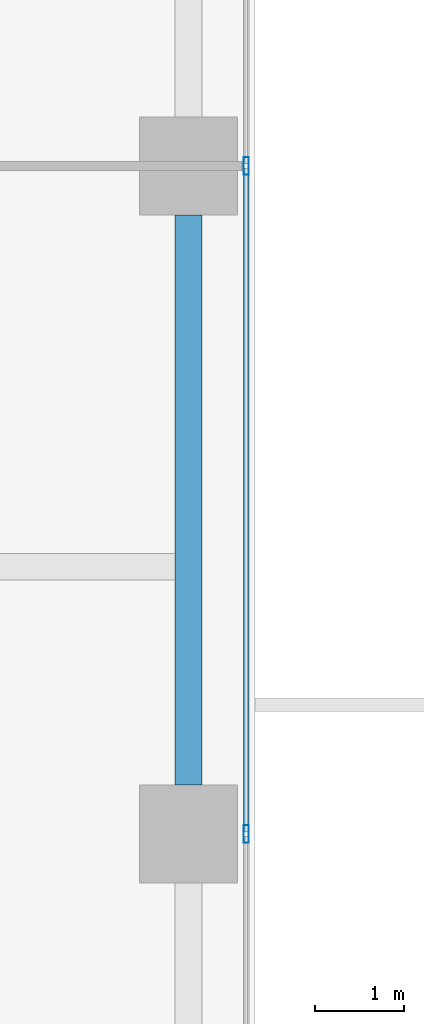
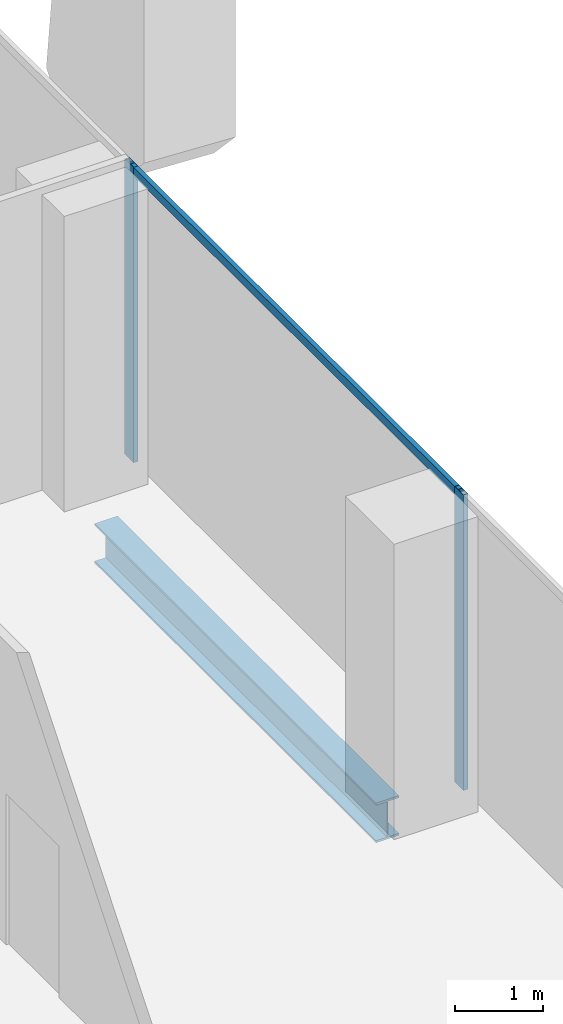
# One storey, part 13 of 35: 3 members, 1 beam, 1 element without a shape of its own.
"""IFC4 building model written with IfcOpenShell, lengths in metres."""

from ifc_helpers import new_model, si_unit, direction, frame, origin, origin_2d, place, context, subcontext, project, spatial, hollow_rectangle, i_section, extrude, source, transform, mapped, material, material_profile, profile_set, type_object, element, aggregate, save


model = new_model("IFC4")

# Units and contexts
model_context = context("Model", 3, precision=1e-05, world=origin(), true_north=direction((0.0, 1.0)))
body_context = subcontext(model_context, "Body", "Model", "MODEL_VIEW")
ifc_project = project(units=[si_unit("LENGTHUNIT", "METRE"), si_unit("AREAUNIT", "SQUARE_METRE"), si_unit("VOLUMEUNIT", "CUBIC_METRE"), si_unit("PLANEANGLEUNIT", "RADIAN"), si_unit("MASSUNIT", "GRAM", prefix="KILO")], contexts=[model_context])

# Site, building, storey
site_placement = place(None, origin())
site = spatial("IfcSite", under=ifc_project, at=site_placement, CompositionType="ELEMENT")
building_placement = place(site_placement, origin())
building = spatial("IfcBuilding", under=site, at=building_placement, Name="Khomas Fold Tower", CompositionType="ELEMENT")
storey_placement = place(building_placement, frame((0.0, 0.0, 136.699951171875)))
storey = spatial("IfcBuildingStorey", under=building, at=storey_placement, Name="L29", CompositionType="ELEMENT", Elevation=136.699951171875)

# Beam
ifc_material_1 = material(Name="Steel S355", Category="steel")
ifc_material_profile_1 = material_profile(ifc_material_1, i_section(OverallWidth=0.300048828125, OverallDepth=0.550048828125, WebThickness=0.014892578125, FlangeThickness=0.029052734375, at=origin_2d()), Name="HE 550 B")
ifc_profile_set_1 = profile_set([ifc_material_profile_1], Name="Steel S355")
beam_type = type_object("IfcBeamType", Name="HE 550 B spandrel SB2", PredefinedType="SPANDREL", material=ifc_profile_set_1)
shared_shape_1 = source(origin(), body_context, "Body", "SweptSolid", [
    extrude(i_section(OverallWidth=0.300048828125, OverallDepth=0.550048828125, WebThickness=0.014892578125, FlangeThickness=0.029052734375, at=origin_2d()), origin(), (0.0, 0.0, 1.0), 6.39990234375),
])
beam_placement = place(storey_placement, frame((51.75, 20.050048828125, -0.574951171875), z_axis=(0.0, 1.0, 0.0), x_axis=(-1.0, 0.0, 0.0)))
element("IfcBeam", 1, at=beam_placement, inside=storey, type_object=beam_type, Name="SB2", PredefinedType="SPANDREL", context=body_context, shape_type="MappedRepresentation", body=[
    mapped(shared_shape_1, transform((0.0, 0.0, 0.0))),
])

# Curtain wall, members
ifc_material_2 = material(Name="Aluminium framed double glazing", Category="aluminium")
curtain_wall_type = type_object("IfcCurtainWallType", Name="SK-Unitised clear-glass wall, growing floors CW1", PredefinedType="NOTDEFINED", material=ifc_material_2)
curtain_wall_placement = place(storey_placement, origin())
curtain_wall = element("IfcCurtainWall", 2, at=curtain_wall_placement, inside=storey, type_object=curtain_wall_type, Name="CW1 run L29 03-0", PredefinedType="NOTDEFINED")
ifc_material_3 = material(Name="Aluminium", Category="aluminium")
ifc_material_profile_2 = material_profile(ifc_material_3, hollow_rectangle(XDim=0.06005859375, YDim=0.1201171875, WallThickness=0.00390625, at=origin_2d()), Name="SK-Unitised clear-glass wall, growing floors transom CW1-T")
ifc_profile_set_2 = profile_set([ifc_material_profile_2], Name="Aluminium")
member_type_1 = type_object("IfcMemberType", Name="SK-Unitised clear-glass wall, growing floors transom CW1-T", PredefinedType="USERDEFINED", material=ifc_profile_set_2)
shared_shape_2 = source(origin(), body_context, "Body", "SweptSolid", [
    extrude(hollow_rectangle(XDim=0.06005859375, YDim=0.1201171875, WallThickness=0.00390625, at=origin_2d()), origin(), (0.0, 0.0, 1.0), 7.43994140625),
])
member_1_placement = place(storey_placement, frame((52.39990234375, 19.530029296875, 4.0400390625), z_axis=(0.0, 1.0, 0.0), x_axis=(-1.0, 0.0, 0.0)))
member_1 = element("IfcMember", 3, at=member_1_placement, type_object=member_type_1, Name="CW1 transom 4", ObjectType="TRANSOM", PredefinedType="USERDEFINED", context=body_context, shape_type="MappedRepresentation", body=[
    mapped(shared_shape_2, transform((0.0, 0.0, 0.0))),
])
ifc_material_4 = material(Name="Aluminium", Category="aluminium")
ifc_material_profile_3 = material_profile(ifc_material_4, hollow_rectangle(XDim=0.06005859375, YDim=0.199951171875, WallThickness=0.00390625, at=origin_2d()), Name="SK-Unitised clear-glass wall, growing floors mullion CW1-M")
ifc_profile_set_3 = profile_set([ifc_material_profile_3], Name="Aluminium")
member_type_2 = type_object("IfcMemberType", Name="SK-Unitised clear-glass wall, growing floors mullion CW1-M", PredefinedType="MULLION", material=ifc_profile_set_3)
shared_shape_3 = source(origin(), body_context, "Body", "SweptSolid", [
    extrude(hollow_rectangle(XDim=0.06005859375, YDim=0.199951171875, WallThickness=0.00390625, at=origin_2d()), origin(), (0.0, 0.0, 1.0), 4.10009765625),
])
member_2_placement = place(storey_placement, frame((52.39990234375, 19.5, 0.0), z_axis=(0.0, 0.0, 1.0), x_axis=(-1.0, 0.0, 0.0)))
member_2 = element("IfcMember", 4, at=member_2_placement, type_object=member_type_2, Name="CW1 mullion 4", PredefinedType="MULLION", context=body_context, shape_type="MappedRepresentation", body=[
    mapped(shared_shape_3, transform((0.0, 0.0, 0.0))),
])
member_3_placement = place(storey_placement, frame((52.39990234375, 27.0, 0.0), z_axis=(0.0, 0.0, 1.0), x_axis=(-1.0, 0.0, 0.0)))
member_3 = element("IfcMember", 5, at=member_3_placement, type_object=member_type_2, Name="CW1 mullion 5", PredefinedType="MULLION", context=body_context, shape_type="MappedRepresentation", body=[
    mapped(shared_shape_3, transform((0.0, 0.0, 0.0))),
])
aggregate(curtain_wall, [member_2, member_3, member_1])

save(model, "model.ifc")
